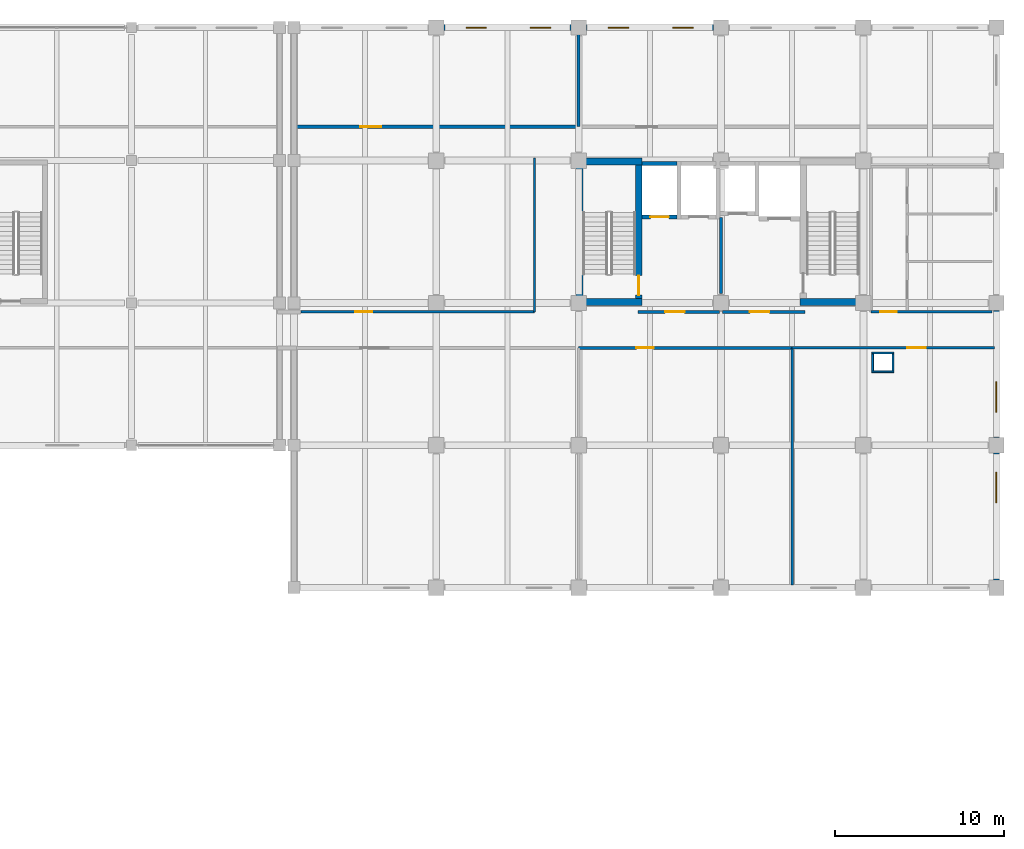
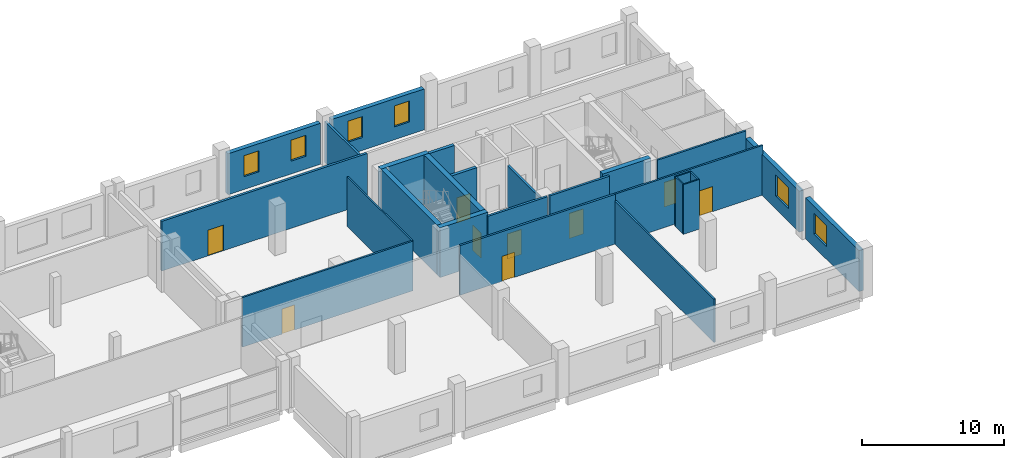
# One storey, part 32 of 38: 26 walls, 9 doors, 6 windows, 15 openings.
"""IFC4 building model written with IfcOpenShell, lengths in metres."""

from ifc_helpers import new_model, si_unit, direction, frame, frame_2d, origin, place, context, subcontext, project, spatial, rectangle, extrude, material, layer, layer_set, type_object, element, fill, save


model = new_model("IFC4")

# Units and contexts
model_context = context("Model", 3, precision=1e-05, world=origin(), true_north=direction((0.0, 1.0)))
body_context = subcontext(model_context, "Body", "Model", "MODEL_VIEW")
ifc_project = project(units=[si_unit("LENGTHUNIT", "METRE"), si_unit("AREAUNIT", "SQUARE_METRE"), si_unit("VOLUMEUNIT", "CUBIC_METRE"), si_unit("PLANEANGLEUNIT", "RADIAN"), si_unit("MASSUNIT", "GRAM", prefix="KILO")], contexts=[model_context])

# Site, building, storey
site_placement = place(None, origin())
site = spatial("IfcSite", under=ifc_project, at=site_placement, CompositionType="ELEMENT")
building_placement = place(site_placement, origin())
building = spatial("IfcBuilding", under=site, at=building_placement, Name="Brinegate Botanical Conservatory", CompositionType="ELEMENT")
storey_placement = place(building_placement, frame((0.0, 0.0, 10.199951171875)))
storey = spatial("IfcBuildingStorey", under=building, at=storey_placement, Name="L03", CompositionType="ELEMENT", Elevation=10.199951171875)

# Wall, openings, windows
ifc_material_1 = material(Name="Insulated Minnan red clay brick masonry", Category="masonry")
ifc_layer_1 = layer(ifc_material_1, 0.360107421875, Name="Insulated Minnan red clay brick masonry", Category="masonry")
ifc_layer_set_1 = layer_set([ifc_layer_1], Name="Insulated Minnan red clay brick masonry")
wall_type_1 = type_object("IfcWallType", Name="Wall_EW-360B", PredefinedType="STANDARD", material=ifc_layer_set_1)
wall_1_placement = place(storey_placement, frame((130.85009765625, 111.449951171875, 0.0), z_axis=(0.0, 0.0, 1.0), x_axis=(1.0, 0.0, 0.0)))
wall_1 = element("IfcWall", 1, at=wall_1_placement, inside=storey, type_object=wall_type_1, Name="Herbarium north insulated red-brick wall L03.2", PredefinedType="STANDARD", context=body_context, shape_type="SweptSolid", body=[
    extrude(rectangle(XDim=7.5, YDim=0.360107421875, at=frame_2d((3.75, 0.0))), origin(), (0.0, 0.0, 1.0), 3.510009765625),
])
opening_1_placement = place(wall_1_placement, frame((1.300048828125, 0.0, 1.10009765625)))
opening_1 = element("IfcOpeningElement", 2, at=opening_1_placement, cuts=wall_1, Name="Opening WN-06", PredefinedType="OPENING", context=body_context, shape_type="SweptSolid", body=[
    extrude(rectangle(XDim=1.199951171875, YDim=1.800048828125, at=frame_2d((0.60009765625, 0.89990234375))), frame((0.0, 0.18994140625, 0.0), z_axis=(0.0, -1.0, 0.0), x_axis=(1.0, 0.0, 0.0)), (0.0, 0.0, 1.0), 0.380126953125),
])
opening_2_placement = place(wall_1_placement, frame((5.10009765625, 0.0, 1.10009765625)))
opening_2 = element("IfcOpeningElement", 3, at=opening_2_placement, cuts=wall_1, Name="Opening WN-06", PredefinedType="OPENING", context=body_context, shape_type="SweptSolid", body=[
    extrude(rectangle(XDim=1.199951171875, YDim=1.800048828125, at=frame_2d((0.60009765625, 0.89990234375))), frame((0.0, 0.18994140625, 0.0), z_axis=(0.0, -1.0, 0.0), x_axis=(1.0, 0.0, 0.0)), (0.0, 0.0, 1.0), 0.380126953125),
])
ifc_material_2 = material(Name="Thermally broken aluminium-framed Low-E glass", Category="aluminium")
window_type_1 = type_object("IfcWindowType", Name="Win_WN-06", PartitioningType="SINGLE_PANEL", PredefinedType="WINDOW", material=ifc_material_2)
window_1_placement = place(opening_1_placement, origin())
window_1 = element("IfcWindow", 4, at=window_1_placement, inside=storey, type_object=window_type_1, Name="Herbarium north UV-filtered window L03.2A", OverallHeight=1.800048828125, OverallWidth=1.199951171875, PartitioningType="SINGLE_PANEL", PredefinedType="WINDOW", context=body_context, shape_type="SweptSolid", body=[
    extrude(rectangle(XDim=1.199951171875, YDim=1.800048828125, at=frame_2d((0.60009765625, 0.89990234375))), frame((0.0, 0.030029296875, 0.0), z_axis=(0.0, -1.0, 0.0), x_axis=(1.0, 0.0, 0.0)), (0.0, 0.0, 1.0), 0.06005859375),
])
fill(opening_1, window_1)
window_2_placement = place(opening_2_placement, origin())
window_2 = element("IfcWindow", 5, at=window_2_placement, inside=storey, type_object=window_type_1, Name="Herbarium north UV-filtered window L03.2B", OverallHeight=1.800048828125, OverallWidth=1.199951171875, PartitioningType="SINGLE_PANEL", PredefinedType="WINDOW", context=body_context, shape_type="SweptSolid", body=[
    extrude(rectangle(XDim=1.199951171875, YDim=1.800048828125, at=frame_2d((0.60009765625, 0.89990234375))), frame((0.0, 0.030029296875, 0.0), z_axis=(0.0, -1.0, 0.0), x_axis=(1.0, 0.0, 0.0)), (0.0, 0.0, 1.0), 0.06005859375),
])
fill(opening_2, window_2)

wall_2_placement = place(storey_placement, frame((139.25, 111.449951171875, 0.0), z_axis=(0.0, 0.0, 1.0), x_axis=(1.0, 0.0, 0.0)))
wall_2 = element("IfcWall", 6, at=wall_2_placement, inside=storey, type_object=wall_type_1, Name="Herbarium north insulated red-brick wall L03.3", PredefinedType="STANDARD", context=body_context, shape_type="SweptSolid", body=[
    extrude(rectangle(XDim=7.5, YDim=0.360107421875, at=frame_2d((3.75, 0.0))), origin(), (0.0, 0.0, 1.0), 3.510009765625),
])
opening_3_placement = place(wall_2_placement, frame((1.300048828125, 0.0, 1.10009765625)))
opening_3 = element("IfcOpeningElement", 7, at=opening_3_placement, cuts=wall_2, Name="Opening WN-06", PredefinedType="OPENING", context=body_context, shape_type="SweptSolid", body=[
    extrude(rectangle(XDim=1.199951171875, YDim=1.800048828125, at=frame_2d((0.60009765625, 0.89990234375))), frame((0.0, 0.18994140625, 0.0), z_axis=(0.0, -1.0, 0.0), x_axis=(1.0, 0.0, 0.0)), (0.0, 0.0, 1.0), 0.380126953125),
])
opening_4_placement = place(wall_2_placement, frame((5.10009765625, 0.0, 1.10009765625)))
opening_4 = element("IfcOpeningElement", 8, at=opening_4_placement, cuts=wall_2, Name="Opening WN-06", PredefinedType="OPENING", context=body_context, shape_type="SweptSolid", body=[
    extrude(rectangle(XDim=1.199951171875, YDim=1.800048828125, at=frame_2d((0.60009765625, 0.89990234375))), frame((0.0, 0.18994140625, 0.0), z_axis=(0.0, -1.0, 0.0), x_axis=(1.0, 0.0, 0.0)), (0.0, 0.0, 1.0), 0.380126953125),
])
window_3_placement = place(opening_3_placement, origin())
window_3 = element("IfcWindow", 9, at=window_3_placement, inside=storey, type_object=window_type_1, Name="Herbarium north UV-filtered window L03.3A", OverallHeight=1.800048828125, OverallWidth=1.199951171875, PartitioningType="SINGLE_PANEL", PredefinedType="WINDOW", context=body_context, shape_type="SweptSolid", body=[
    extrude(rectangle(XDim=1.199951171875, YDim=1.800048828125, at=frame_2d((0.60009765625, 0.89990234375))), frame((0.0, 0.030029296875, 0.0), z_axis=(0.0, -1.0, 0.0), x_axis=(1.0, 0.0, 0.0)), (0.0, 0.0, 1.0), 0.06005859375),
])
fill(opening_3, window_3)
window_4_placement = place(opening_4_placement, origin())
window_4 = element("IfcWindow", 10, at=window_4_placement, inside=storey, type_object=window_type_1, Name="Herbarium north UV-filtered window L03.3B", OverallHeight=1.800048828125, OverallWidth=1.199951171875, PartitioningType="SINGLE_PANEL", PredefinedType="WINDOW", context=body_context, shape_type="SweptSolid", body=[
    extrude(rectangle(XDim=1.199951171875, YDim=1.800048828125, at=frame_2d((0.60009765625, 0.89990234375))), frame((0.0, 0.030029296875, 0.0), z_axis=(0.0, -1.0, 0.0), x_axis=(1.0, 0.0, 0.0)), (0.0, 0.0, 1.0), 0.06005859375),
])
fill(opening_4, window_4)

# Wall, opening, window
wall_3_placement = place(storey_placement, frame((163.449951171875, 86.35009765625, 0.0), z_axis=(0.0, 0.0, 1.0), x_axis=(0.0, -1.0, 0.0)))
wall_3 = element("IfcWall", 11, at=wall_3_placement, inside=storey, type_object=wall_type_1, Name="Tower east brick wall L03.1", PredefinedType="STANDARD", context=body_context, shape_type="SweptSolid", body=[
    extrude(rectangle(XDim=7.5, YDim=0.360107421875, at=frame_2d((3.75, 0.0))), origin(), (0.0, 0.0, 1.0), 3.510009765625),
])
opening_5_placement = place(wall_3_placement, frame((1.14990234375, 0.0, 1.10009765625)))
opening_5 = element("IfcOpeningElement", 12, at=opening_5_placement, cuts=wall_3, Name="Opening WN-05", PredefinedType="OPENING", context=body_context, shape_type="SweptSolid", body=[
    extrude(rectangle(XDim=1.800048828125, YDim=1.800048828125, at=frame_2d((0.89990234375, 0.89990234375))), frame((0.0, 0.18994140625, 0.0), z_axis=(0.0, -1.0, 0.0), x_axis=(1.0, 0.0, 0.0)), (0.0, 0.0, 1.0), 0.380126953125),
])
window_type_2 = type_object("IfcWindowType", Name="Win_WN-05", PartitioningType="DOUBLE_PANEL_VERTICAL", PredefinedType="WINDOW", material=ifc_material_2)
window_5_placement = place(opening_5_placement, origin())
window_5 = element("IfcWindow", 13, at=window_5_placement, inside=storey, type_object=window_type_2, Name="Tower east window L03.1", OverallHeight=1.800048828125, OverallWidth=1.800048828125, PartitioningType="DOUBLE_PANEL_VERTICAL", PredefinedType="WINDOW", context=body_context, shape_type="SweptSolid", body=[
    extrude(rectangle(XDim=1.800048828125, YDim=1.800048828125, at=frame_2d((0.89990234375, 0.89990234375))), frame((0.0, 0.030029296875, 0.0), z_axis=(0.0, -1.0, 0.0), x_axis=(1.0, 0.0, 0.0)), (0.0, 0.0, 1.0), 0.06005859375),
])
fill(opening_5, window_5)

wall_4_placement = place(storey_placement, frame((163.449951171875, 94.75, 0.0), z_axis=(0.0, 0.0, 1.0), x_axis=(0.0, -1.0, 0.0)))
wall_4 = element("IfcWall", 14, at=wall_4_placement, inside=storey, type_object=wall_type_1, Name="Tower east brick wall L03.2", PredefinedType="STANDARD", context=body_context, shape_type="SweptSolid", body=[
    extrude(rectangle(XDim=7.5, YDim=0.360107421875, at=frame_2d((3.75, 0.0))), origin(), (0.0, 0.0, 1.0), 3.510009765625),
])
opening_6_placement = place(wall_4_placement, frame((4.199951171875, 0.0, 1.10009765625)))
opening_6 = element("IfcOpeningElement", 15, at=opening_6_placement, cuts=wall_4, Name="Opening WN-05", PredefinedType="OPENING", context=body_context, shape_type="SweptSolid", body=[
    extrude(rectangle(XDim=1.800048828125, YDim=1.800048828125, at=frame_2d((0.89990234375, 0.89990234375))), frame((0.0, 0.18994140625, 0.0), z_axis=(0.0, -1.0, 0.0), x_axis=(1.0, 0.0, 0.0)), (0.0, 0.0, 1.0), 0.380126953125),
])
window_6_placement = place(opening_6_placement, origin())
window_6 = element("IfcWindow", 16, at=window_6_placement, inside=storey, type_object=window_type_2, Name="Tower east window L03.2", OverallHeight=1.800048828125, OverallWidth=1.800048828125, PartitioningType="DOUBLE_PANEL_VERTICAL", PredefinedType="WINDOW", context=body_context, shape_type="SweptSolid", body=[
    extrude(rectangle(XDim=1.800048828125, YDim=1.800048828125, at=frame_2d((0.89990234375, 0.89990234375))), frame((0.0, 0.030029296875, 0.0), z_axis=(0.0, -1.0, 0.0), x_axis=(1.0, 0.0, 0.0)), (0.0, 0.0, 1.0), 0.06005859375),
])
fill(opening_6, window_6)

# Walls
ifc_material_3 = material(Name="Gypsum-clad steel-stud fire-rated shaft partition", Category="steel")
ifc_layer_2 = layer(ifc_material_3, 0.10498046875, Name="Gypsum-clad steel-stud fire-rated shaft partition", Category="steel")
ifc_layer_set_2 = layer_set([ifc_layer_2], Name="Gypsum-clad steel-stud fire-rated shaft partition")
wall_type_2 = type_object("IfcWallType", Name="Wall_PW-105", PredefinedType="PARTITIONING", material=ifc_layer_set_2)
for number, where, z_axis, x_axis, name in (
    (17, (156.094970703125, 91.1474609375, 0.0), (0.0, 0.0, 1.0), (1.0, 0.0, 0.0), "Service riser shaft wall L03 S"),
    (18, (156.094970703125, 92.25244140625, 0.0), (0.0, 0.0, 1.0), (1.0, 0.0, 0.0), "Service riser shaft wall L03 N"),
):
    element("IfcWall", number, at=place(storey_placement, frame(where, z_axis=z_axis, x_axis=x_axis)), inside=storey, type_object=wall_type_2, Name=name, PredefinedType="PARTITIONING", context=body_context, shape_type="SweptSolid", body=[
        extrude(rectangle(XDim=1.31005859375, YDim=0.10498046875, at=frame_2d((0.655029296875, 0.0))), origin(), (0.0, 0.0, 1.0), 4.260009765625),
    ])
for number, where, z_axis, x_axis, name in (
    (19, (156.1474609375, 91.199951171875, 0.0), (0.0, 0.0, 1.0), (0.0, 1.0, 0.0), "Service riser shaft wall L03 W"),
    (20, (157.3525390625, 91.199951171875, 0.0), (0.0, 0.0, 1.0), (0.0, 1.0, 0.0), "Service riser shaft wall L03 E"),
):
    element("IfcWall", number, at=place(storey_placement, frame(where, z_axis=z_axis, x_axis=x_axis)), inside=storey, type_object=wall_type_2, Name=name, PredefinedType="PARTITIONING", context=body_context, shape_type="SweptSolid", body=[
        extrude(rectangle(XDim=1.0, YDim=0.10498046875, at=frame_2d((0.5, 0.0))), origin(), (0.0, 0.0, 1.0), 4.260009765625),
    ])
ifc_material_4 = material(Name="Gypsum-clad steel-stud partition", Category="steel")
ifc_layer_3 = layer(ifc_material_4, 0.1201171875, Name="Gypsum-clad steel-stud partition", Category="steel")
ifc_layer_set_3 = layer_set([ifc_layer_3], Name="Gypsum-clad steel-stud partition")
wall_type_3 = type_object("IfcWallType", Name="Wall_PW-120", PredefinedType="PARTITIONING", material=ifc_layer_set_3)
wall_5_placement = place(storey_placement, frame((136.199951171875, 94.679931640625, 0.0), z_axis=(0.0, 0.0, 1.0), x_axis=(0.0, 1.0, 0.0)))
element("IfcWall", 21, at=wall_5_placement, inside=storey, type_object=wall_type_3, Name="Interior partition P-L03-XCORR-W", PredefinedType="PARTITIONING", context=body_context, shape_type="SweptSolid", body=[
    extrude(rectangle(XDim=9.070068359375, YDim=0.1201171875, at=frame_2d((4.53515625, 0.0))), origin(), (0.0, 0.0, 1.0), 4.260009765625),
])
ifc_layer_4 = layer(ifc_material_4, 0.135009765625, Name="Gypsum-clad steel-stud partition", Category="steel")
ifc_layer_set_4 = layer_set([ifc_layer_4], Name="Gypsum-clad steel-stud partition")
wall_type_4 = type_object("IfcWallType", Name="Wall_PW-135", PredefinedType="PARTITIONING", material=ifc_layer_set_4)
wall_6_placement = place(storey_placement, frame((151.39990234375, 78.550048828125, 0.0), z_axis=(0.0, 0.0, 1.0), x_axis=(0.0, 1.0, 0.0)))
element("IfcWall", 22, at=wall_6_placement, inside=storey, type_object=wall_type_4, Name="Interior partition P-L03-SDIV-S3", PredefinedType="PARTITIONING", context=body_context, shape_type="SweptSolid", body=[
    extrude(rectangle(XDim=14.0, YDim=0.135009765625, at=frame_2d((7.0, 0.0))), origin(), (0.0, 0.0, 1.0), 3.7099609375),
])

# Wall, opening, door
ifc_material_5 = material(Name="Gypsum-clad acoustic steel-stud partition", Category="steel")
ifc_layer_5 = layer(ifc_material_5, 0.14501953125, Name="Gypsum-clad acoustic steel-stud partition", Category="steel")
ifc_layer_set_5 = layer_set([ifc_layer_5], Name="Gypsum-clad acoustic steel-stud partition")
wall_type_5 = type_object("IfcWallType", Name="Wall_PW-150", PredefinedType="PARTITIONING", material=ifc_layer_set_5)
wall_7_placement = place(storey_placement, frame((122.39990234375, 94.679931640625, 0.0), z_axis=(0.0, 0.0, 1.0), x_axis=(1.0, 0.0, 0.0)))
wall_7 = element("IfcWall", 23, at=wall_7_placement, inside=storey, type_object=wall_type_5, Name="Interior partition P-L03-MIDW-S", PredefinedType="PARTITIONING", context=body_context, shape_type="SweptSolid", body=[
    extrude(rectangle(XDim=13.800048828125, YDim=0.14501953125, at=frame_2d((6.89990234375, 0.0))), origin(), (0.0, 0.0, 1.0), 4.260009765625),
])
opening_7_placement = place(wall_7_placement, frame((3.199951171875, 0.0, 0.0)))
opening_7 = element("IfcOpeningElement", 24, at=opening_7_placement, cuts=wall_7, Name="Opening DR-02", PredefinedType="OPENING", context=body_context, shape_type="SweptSolid", body=[
    extrude(rectangle(XDim=1.02001953125, YDim=2.14990234375, at=frame_2d((0.510009765625, 1.074951171875))), frame((0.0, 0.08251953125, 0.0), z_axis=(0.0, -1.0, 0.0), x_axis=(1.0, 0.0, 0.0)), (0.0, 0.0, 1.0), 0.1650390625),
])
ifc_material_6 = material(Name="Phenolic-faced laboratory timber leaf", Category="wood")
door_type_1 = type_object("IfcDoorType", Name="Door_DR-02", OperationType="NOTDEFINED", PredefinedType="DOOR", material=ifc_material_6)
door_1_placement = place(opening_7_placement, origin())
door_1 = element("IfcDoor", 25, at=door_1_placement, inside=storey, type_object=door_type_1, Name="DR-P-L03-MIDW-S-1", OperationType="SINGLE_SWING_RIGHT", OverallHeight=2.14990234375, OverallWidth=1.02001953125, PredefinedType="DOOR", context=body_context, shape_type="SweptSolid", body=[
    extrude(rectangle(XDim=1.02001953125, YDim=2.14990234375, at=frame_2d((0.510009765625, 1.074951171875))), frame((0.0, 0.02490234375, 0.0), z_axis=(0.0, -1.0, 0.0), x_axis=(1.0, 0.0, 0.0)), (0.0, 0.0, 1.0), 0.050048828125),
])
fill(opening_7, door_1)

wall_8_placement = place(storey_placement, frame((151.39990234375, 92.550048828125, 0.0), z_axis=(0.0, 0.0, 1.0), x_axis=(1.0, 0.0, 0.0)))
wall_8 = element("IfcWall", 26, at=wall_8_placement, inside=storey, type_object=wall_type_5, Name="Interior partition P-L03-SB-S3", PredefinedType="PARTITIONING", context=body_context, shape_type="SweptSolid", body=[
    extrude(rectangle(XDim=11.9501953125, YDim=0.14501953125, at=frame_2d((5.97509765625, 0.0))), origin(), (0.0, 0.0, 1.0), 4.260009765625),
])
opening_8_placement = place(wall_8_placement, frame((6.800048828125, 0.0, 0.0)))
opening_8 = element("IfcOpeningElement", 27, at=opening_8_placement, cuts=wall_8, Name="Opening DR-01", PredefinedType="OPENING", context=body_context, shape_type="SweptSolid", body=[
    extrude(rectangle(XDim=1.080078125, YDim=2.14990234375, at=frame_2d((0.5400390625, 1.074951171875))), frame((0.0, 0.08251953125, 0.0), z_axis=(0.0, -1.0, 0.0), x_axis=(1.0, 0.0, 0.0)), (0.0, 0.0, 1.0), 0.1650390625),
])
ifc_material_7 = material(Name="Hardwood timber acoustic leaf", Category="wood")
door_type_2 = type_object("IfcDoorType", Name="Door_DR-01", OperationType="NOTDEFINED", PredefinedType="DOOR", material=ifc_material_7)
door_2_placement = place(opening_8_placement, origin())
door_2 = element("IfcDoor", 28, at=door_2_placement, inside=storey, type_object=door_type_2, Name="DR-P-L03-SB-S3-1", OperationType="SINGLE_SWING_RIGHT", OverallHeight=2.14990234375, OverallWidth=1.080078125, PredefinedType="DOOR", context=body_context, shape_type="SweptSolid", body=[
    extrude(rectangle(XDim=1.080078125, YDim=2.14990234375, at=frame_2d((0.5400390625, 1.074951171875))), frame((0.0, 0.02490234375, 0.0), z_axis=(0.0, -1.0, 0.0), x_axis=(1.0, 0.0, 0.0)), (0.0, 0.0, 1.0), 0.050048828125),
])
fill(opening_8, door_2)

ifc_material_8 = material(Name="Moisture-resistant cement-board partition", Category="gypsum")
ifc_layer_6 = layer(ifc_material_8, 0.14990234375, Name="Moisture-resistant cement-board partition", Category="gypsum")
ifc_layer_set_6 = layer_set([ifc_layer_6], Name="Moisture-resistant cement-board partition")
wall_type_6 = type_object("IfcWallType", Name="Wall_PW-150W", PredefinedType="PARTITIONING", material=ifc_layer_set_6)
wall_9_placement = place(storey_placement, frame((156.050048828125, 94.679931640625, 0.0), z_axis=(0.0, 0.0, 1.0), x_axis=(1.0, 0.0, 0.0)))
wall_9 = element("IfcWall", 29, at=wall_9_placement, inside=storey, type_object=wall_type_6, Name="Interior partition P-L03-WCS", PredefinedType="PARTITIONING", context=body_context, shape_type="SweptSolid", body=[
    extrude(rectangle(XDim=7.14990234375, YDim=0.14990234375, at=frame_2d((3.574951171875, 0.0))), origin(), (0.0, 0.0, 1.0), 4.260009765625),
])
opening_9_placement = place(wall_9_placement, frame((0.550048828125, 0.0, 0.0)))
opening_9 = element("IfcOpeningElement", 30, at=opening_9_placement, cuts=wall_9, Name="Opening DR-03", PredefinedType="OPENING", context=body_context, shape_type="SweptSolid", body=[
    extrude(rectangle(XDim=0.97998046875, YDim=2.1201171875, at=frame_2d((0.489990234375, 1.06005859375))), frame((0.0, 0.0849609375, 0.0), z_axis=(0.0, -1.0, 0.0), x_axis=(1.0, 0.0, 0.0)), (0.0, 0.0, 1.0), 0.169921875),
])
ifc_material_9 = material(Name="Steel-core hardwood smoke-sealed fire door", Category="steel")
door_type_3 = type_object("IfcDoorType", Name="Door_DR-03", OperationType="NOTDEFINED", PredefinedType="DOOR", material=ifc_material_9)
door_3_placement = place(opening_9_placement, origin())
door_3 = element("IfcDoor", 31, at=door_3_placement, inside=storey, type_object=door_type_3, Name="DR-P-L03-WCS-1", OperationType="SINGLE_SWING_LEFT", OverallHeight=2.1201171875, OverallWidth=0.97998046875, PredefinedType="DOOR", context=body_context, shape_type="SweptSolid", body=[
    extrude(rectangle(XDim=0.97998046875, YDim=2.1201171875, at=frame_2d((0.489990234375, 1.06005859375))), frame((0.0, 0.02490234375, 0.0), z_axis=(0.0, -1.0, 0.0), x_axis=(1.0, 0.0, 0.0)), (0.0, 0.0, 1.0), 0.050048828125),
])
fill(opening_9, door_3)

ifc_layer_7 = layer(ifc_material_5, 0.1650390625, Name="Gypsum-clad acoustic steel-stud partition", Category="steel")
ifc_layer_set_7 = layer_set([ifc_layer_7], Name="Gypsum-clad acoustic steel-stud partition")
wall_type_7 = type_object("IfcWallType", Name="Wall_PW-165", PredefinedType="PARTITIONING", material=ifc_layer_set_7)
wall_10_placement = place(storey_placement, frame((138.800048828125, 92.550048828125, 0.0), z_axis=(0.0, 0.0, 1.0), x_axis=(1.0, 0.0, 0.0)))
wall_10 = element("IfcWall", 32, at=wall_10_placement, inside=storey, type_object=wall_type_7, Name="Interior partition P-L03-SB-S2", PredefinedType="PARTITIONING", context=body_context, shape_type="SweptSolid", body=[
    extrude(rectangle(XDim=12.599853515625, YDim=0.1650390625, at=frame_2d((6.2998046875, 0.0))), origin(), (0.0, 0.0, 1.0), 4.260009765625),
])
opening_10_placement = place(wall_10_placement, frame((3.39990234375, 0.0, 0.0)))
opening_10 = element("IfcOpeningElement", 33, at=opening_10_placement, cuts=wall_10, Name="Opening DR-02", PredefinedType="OPENING", context=body_context, shape_type="SweptSolid", body=[
    extrude(rectangle(XDim=1.02001953125, YDim=2.14990234375, at=frame_2d((0.510009765625, 1.074951171875))), frame((0.0, 0.092529296875, 0.0), z_axis=(0.0, -1.0, 0.0), x_axis=(1.0, 0.0, 0.0)), (0.0, 0.0, 1.0), 0.18505859375),
])
door_4_placement = place(opening_10_placement, origin())
door_4 = element("IfcDoor", 34, at=door_4_placement, inside=storey, type_object=door_type_1, Name="DR-P-L03-SB-S2-1", OperationType="SINGLE_SWING_LEFT", OverallHeight=2.14990234375, OverallWidth=1.02001953125, PredefinedType="DOOR", context=body_context, shape_type="SweptSolid", body=[
    extrude(rectangle(XDim=1.02001953125, YDim=2.14990234375, at=frame_2d((0.510009765625, 1.074951171875))), frame((0.0, 0.02490234375, 0.0), z_axis=(0.0, -1.0, 0.0), x_axis=(1.0, 0.0, 0.0)), (0.0, 0.0, 1.0), 0.050048828125),
])
fill(opening_10, door_4)

ifc_material_10 = material(Name="Autoclaved aerated concrete C40/50 blockwork", Category="masonry")
ifc_layer_8 = layer(ifc_material_10, 0.179931640625, Name="Autoclaved aerated concrete C40/50 blockwork", Category="masonry")
ifc_layer_set_8 = layer_set([ifc_layer_8], Name="Autoclaved aerated concrete C40/50 blockwork")
wall_type_8 = type_object("IfcWallType", Name="Wall_PW-180F", PredefinedType="STANDARD", material=ifc_layer_set_8)
wall_11_placement = place(storey_placement, frame((142.300048828125, 94.679931640625, 0.0), z_axis=(0.0, 0.0, 1.0), x_axis=(1.0, 0.0, 0.0)))
wall_11 = element("IfcWall", 35, at=wall_11_placement, inside=storey, type_object=wall_type_8, Name="Interior partition P-L03-CORE-FF", PredefinedType="STANDARD", context=body_context, shape_type="SweptSolid", body=[
    extrude(rectangle(XDim=4.800048828125, YDim=0.179931640625, at=frame_2d((2.39990234375, 0.0))), origin(), (0.0, 0.0, 1.0), 4.260009765625),
])
opening_11_placement = place(wall_11_placement, frame((1.60009765625, 0.0, 0.0)))
opening_11 = element("IfcOpeningElement", 36, at=opening_11_placement, cuts=wall_11, Name="Opening FD-B1", PredefinedType="OPENING", context=body_context, shape_type="SweptSolid", body=[
    extrude(rectangle(XDim=1.14990234375, YDim=2.14990234375, at=frame_2d((0.574951171875, 1.074951171875))), frame((0.0, 0.099853515625, 0.0), z_axis=(0.0, -1.0, 0.0), x_axis=(1.0, 0.0, 0.0)), (0.0, 0.0, 1.0), 0.199951171875),
])
ifc_material_11 = material(Name="Steel smoke-proof fire door assembly", Category="steel")
door_type_4 = type_object("IfcDoorType", Name="Door_FD-B1", OperationType="NOTDEFINED", PredefinedType="DOOR", material=ifc_material_11)
door_5_placement = place(opening_11_placement, origin())
door_5 = element("IfcDoor", 37, at=door_5_placement, inside=storey, type_object=door_type_4, Name="DR-P-L03-CORE-FF-1", OperationType="SINGLE_SWING_LEFT", OverallHeight=2.14990234375, OverallWidth=1.14990234375, PredefinedType="DOOR", context=body_context, shape_type="SweptSolid", body=[
    extrude(rectangle(XDim=1.14990234375, YDim=2.14990234375, at=frame_2d((0.574951171875, 1.074951171875))), frame((0.0, 0.02490234375, 0.0), z_axis=(0.0, -1.0, 0.0), x_axis=(1.0, 0.0, 0.0)), (0.0, 0.0, 1.0), 0.050048828125),
])
fill(opening_11, door_5)

wall_12_placement = place(storey_placement, frame((147.300048828125, 94.679931640625, 0.0), z_axis=(0.0, 0.0, 1.0), x_axis=(1.0, 0.0, 0.0)))
wall_12 = element("IfcWall", 38, at=wall_12_placement, inside=storey, type_object=wall_type_8, Name="Interior partition P-L03-CORE-PAX", PredefinedType="STANDARD", context=body_context, shape_type="SweptSolid", body=[
    extrude(rectangle(XDim=4.849853515625, YDim=0.179931640625, at=frame_2d((2.4248046875, 0.0))), origin(), (0.0, 0.0, 1.0), 4.260009765625),
])
opening_12_placement = place(wall_12_placement, frame((1.60009765625, 0.0, 0.0)))
opening_12 = element("IfcOpeningElement", 39, at=opening_12_placement, cuts=wall_12, Name="Opening FD-B1", PredefinedType="OPENING", context=body_context, shape_type="SweptSolid", body=[
    extrude(rectangle(XDim=1.14990234375, YDim=2.14990234375, at=frame_2d((0.574951171875, 1.074951171875))), frame((0.0, 0.099853515625, 0.0), z_axis=(0.0, -1.0, 0.0), x_axis=(1.0, 0.0, 0.0)), (0.0, 0.0, 1.0), 0.199951171875),
])
door_6_placement = place(opening_12_placement, origin())
door_6 = element("IfcDoor", 40, at=door_6_placement, inside=storey, type_object=door_type_4, Name="DR-P-L03-CORE-PAX-1", OperationType="SINGLE_SWING_RIGHT", OverallHeight=2.14990234375, OverallWidth=1.14990234375, PredefinedType="DOOR", context=body_context, shape_type="SweptSolid", body=[
    extrude(rectangle(XDim=1.14990234375, YDim=2.14990234375, at=frame_2d((0.574951171875, 1.074951171875))), frame((0.0, 0.02490234375, 0.0), z_axis=(0.0, -1.0, 0.0), x_axis=(1.0, 0.0, 0.0)), (0.0, 0.0, 1.0), 0.050048828125),
])
fill(opening_12, door_6)

# Walls
wall_13_placement = place(storey_placement, frame((147.199951171875, 95.75, 0.0), z_axis=(0.0, 0.0, 1.0), x_axis=(0.0, 1.0, 0.0)))
element("IfcWall", 41, at=wall_13_placement, inside=storey, type_object=wall_type_8, Name="Interior partition P-L03-CORE-DIV", PredefinedType="STANDARD", context=body_context, shape_type="SweptSolid", body=[
    extrude(rectangle(XDim=4.5, YDim=0.179931640625, at=frame_2d((2.25, 0.0))), origin(), (0.0, 0.0, 1.0), 3.510009765625),
])
wall_14_placement = place(storey_placement, frame((138.800048828125, 105.60009765625, 0.0), z_axis=(0.0, 0.0, 1.0), x_axis=(0.0, 1.0, 0.0)))
element("IfcWall", 42, at=wall_14_placement, inside=storey, type_object=wall_type_8, Name="Interior partition P-L03-NDIV-N2", PredefinedType="STANDARD", context=body_context, shape_type="SweptSolid", body=[
    extrude(rectangle(XDim=5.75, YDim=0.179931640625, at=frame_2d((2.875, 0.0))), origin(), (0.0, 0.0, 1.0), 3.510009765625),
])

# Wall, opening, door
ifc_layer_9 = layer(ifc_material_10, 0.18994140625, Name="Autoclaved aerated concrete C40/50 blockwork", Category="masonry")
ifc_layer_set_9 = layer_set([ifc_layer_9], Name="Autoclaved aerated concrete C40/50 blockwork")
wall_type_9 = type_object("IfcWallType", Name="Wall_PW-190F", PredefinedType="SOLIDWALL", material=ifc_layer_set_9)
wall_15_placement = place(storey_placement, frame((122.14990234375, 105.60009765625, 0.0), z_axis=(0.0, 0.0, 1.0), x_axis=(1.0, 0.0, 0.0)))
wall_15 = element("IfcWall", 43, at=wall_15_placement, inside=storey, type_object=wall_type_9, Name="Interior partition P-L03-NB-N1", PredefinedType="SOLIDWALL", context=body_context, shape_type="SweptSolid", body=[
    extrude(rectangle(XDim=16.650146484375, YDim=0.18994140625, at=frame_2d((8.3251953125, 0.0))), origin(), (0.0, 0.0, 1.0), 4.260009765625),
])
opening_13_placement = place(wall_15_placement, frame((3.75, 0.0, 0.0)))
opening_13 = element("IfcOpeningElement", 44, at=opening_13_placement, cuts=wall_15, Name="Opening FD-A1", PredefinedType="OPENING", context=body_context, shape_type="SweptSolid", body=[
    extrude(rectangle(XDim=1.25, YDim=2.199951171875, at=frame_2d((0.625, 1.10009765625))), frame((0.0, 0.10498046875, 0.0), z_axis=(0.0, -1.0, 0.0), x_axis=(1.0, 0.0, 0.0)), (0.0, 0.0, 1.0), 0.2099609375),
])
ifc_material_12 = material(Name="Steel fire-rated assembly", Category="steel")
door_type_5 = type_object("IfcDoorType", Name="Door_FD-A1", OperationType="NOTDEFINED", PredefinedType="DOOR", material=ifc_material_12)
door_7_placement = place(opening_13_placement, origin())
door_7 = element("IfcDoor", 45, at=door_7_placement, inside=storey, type_object=door_type_5, Name="DR-P-L03-NB-N1-1", OperationType="SINGLE_SWING_LEFT", OverallHeight=2.199951171875, OverallWidth=1.25, PredefinedType="DOOR", context=body_context, shape_type="SweptSolid", body=[
    extrude(rectangle(XDim=1.25, YDim=2.199951171875, at=frame_2d((0.625, 1.10009765625))), frame((0.0, 0.02490234375, 0.0), z_axis=(0.0, -1.0, 0.0), x_axis=(1.0, 0.0, 0.0)), (0.0, 0.0, 1.0), 0.050048828125),
])
fill(opening_13, door_7)

ifc_material_13 = material(Name="Concrete C40/50", Category="concrete")
ifc_layer_10 = layer(ifc_material_13, 0.25, Name="Concrete C40/50", Category="concrete")
ifc_layer_set_10 = layer_set([ifc_layer_10], Name="Concrete C40/50")
wall_type_10 = type_object("IfcWallType", Name="Wall_SW-250", PredefinedType="SHEAR", material=ifc_layer_set_10)
wall_16_placement = place(storey_placement, frame((142.550048828125, 100.27490234375, 0.0), z_axis=(0.0, 0.0, 1.0), x_axis=(1.0, 0.0, 0.0)))
wall_16 = element("IfcWall", 46, at=wall_16_placement, inside=storey, type_object=wall_type_10, Name="Lift shaft LF1 shear wall L03 S", PredefinedType="SHEAR", context=body_context, shape_type="SweptSolid", body=[
    extrude(rectangle(XDim=2.050048828125, YDim=0.25, at=frame_2d((1.02490234375, 0.0))), origin(), (0.0, 0.0, 1.0), 4.260009765625),
])
opening_14_placement = place(wall_16_placement, frame((0.47509765625, 0.0, 0.0)))
opening_14 = element("IfcOpeningElement", 47, at=opening_14_placement, cuts=wall_16, Name="Opening LD-01", PredefinedType="OPENING", context=body_context, shape_type="SweptSolid", body=[
    extrude(rectangle(XDim=1.10009765625, YDim=2.14990234375, at=frame_2d((0.550048828125, 1.074951171875))), frame((0.0, 0.135009765625, 0.0), z_axis=(0.0, -1.0, 0.0), x_axis=(1.0, 0.0, 0.0)), (0.0, 0.0, 1.0), 0.27001953125),
])
ifc_material_14 = material(Name="Brushed stainless steel S355 landing door", Category="steel")
door_type_6 = type_object("IfcDoorType", Name="Door_LD-01", OperationType="SLIDING_TO_LEFT", PredefinedType="DOOR", material=ifc_material_14)
door_8_placement = place(opening_14_placement, origin())
door_8 = element("IfcDoor", 48, at=door_8_placement, inside=storey, type_object=door_type_6, Name="LD-LF1-L03", OperationType="SLIDING_TO_LEFT", OverallHeight=2.14990234375, OverallWidth=1.10009765625, PredefinedType="DOOR", context=body_context, shape_type="SweptSolid", body=[
    extrude(rectangle(XDim=1.10009765625, YDim=2.14990234375, at=frame_2d((0.550048828125, 1.074951171875))), frame((0.0, 0.02490234375, 0.0), z_axis=(0.0, -1.0, 0.0), x_axis=(1.0, 0.0, 0.0)), (0.0, 0.0, 1.0), 0.050048828125),
])
fill(opening_14, door_8)

# Walls
wall_17_placement = place(storey_placement, frame((142.550048828125, 103.425048828125, 0.0), z_axis=(0.0, 0.0, 1.0), x_axis=(1.0, 0.0, 0.0)))
element("IfcWall", 49, at=wall_17_placement, inside=storey, type_object=wall_type_10, Name="Lift shaft LF1 shear wall L03 N", PredefinedType="SHEAR", context=body_context, shape_type="SweptSolid", body=[
    extrude(rectangle(XDim=2.050048828125, YDim=0.25, at=frame_2d((1.02490234375, 0.0))), origin(), (0.0, 0.0, 1.0), 4.260009765625),
])
ifc_material_15 = material(Name="Concrete C50/60", Category="concrete")
ifc_layer_11 = layer(ifc_material_15, 0.39990234375, Name="Concrete C50/60", Category="concrete")
ifc_layer_set_11 = layer_set([ifc_layer_11], Name="Concrete C50/60")
wall_type_11 = type_object("IfcWallType", Name="Wall_SW-400", PredefinedType="SHEAR", material=ifc_layer_set_11)
for number, where, z_axis, x_axis, name in (
    (50, (138.64990234375, 95.25, 0.0), (0.0, 0.0, 1.0), (1.0, 0.0, 0.0), "Stairwell ST1 shear wall L03 S"),
    (51, (138.64990234375, 103.550048828125, 0.0), (0.0, 0.0, 1.0), (1.0, 0.0, 0.0), "Stairwell ST1 shear wall L03 N"),
):
    element("IfcWall", number, at=place(storey_placement, frame(where, z_axis=z_axis, x_axis=x_axis)), inside=storey, type_object=wall_type_11, Name=name, PredefinedType="SHEAR", context=body_context, shape_type="SweptSolid", body=[
        extrude(rectangle(XDim=3.900146484375, YDim=0.39990234375, at=frame_2d((1.9501953125, 0.0))), origin(), (0.0, 0.0, 1.0), 4.260009765625),
    ])
wall_18_placement = place(storey_placement, frame((138.85009765625, 95.449951171875, 0.0), z_axis=(0.0, 0.0, 1.0), x_axis=(0.0, 1.0, 0.0)))
element("IfcWall", 52, at=wall_18_placement, inside=storey, type_object=wall_type_11, Name="Stairwell ST1 shear wall L03 W", PredefinedType="SHEAR", context=body_context, shape_type="SweptSolid", body=[
    extrude(rectangle(XDim=7.900146484375, YDim=0.39990234375, at=frame_2d((3.9501953125, 0.0))), origin(), (0.0, 0.0, 1.0), 4.260009765625),
])

# Wall, opening, door
wall_19_placement = place(storey_placement, frame((142.35009765625, 95.449951171875, 0.0), z_axis=(0.0, 0.0, 1.0), x_axis=(0.0, 1.0, 0.0)))
wall_19 = element("IfcWall", 53, at=wall_19_placement, inside=storey, type_object=wall_type_11, Name="Stairwell ST1 shear wall L03 E", PredefinedType="SHEAR", context=body_context, shape_type="SweptSolid", body=[
    extrude(rectangle(XDim=7.900146484375, YDim=0.39990234375, at=frame_2d((3.9501953125, 0.0))), origin(), (0.0, 0.0, 1.0), 4.260009765625),
])
opening_15_placement = place(wall_19_placement, frame((0.219970703125, 0.0, 0.0)))
opening_15 = element("IfcOpeningElement", 54, at=opening_15_placement, cuts=wall_19, Name="Opening FD-B1", PredefinedType="OPENING", context=body_context, shape_type="SweptSolid", body=[
    extrude(rectangle(XDim=1.14990234375, YDim=2.14990234375, at=frame_2d((0.574951171875, 1.074951171875))), frame((0.0, 0.2099609375, 0.0), z_axis=(0.0, -1.0, 0.0), x_axis=(1.0, 0.0, 0.0)), (0.0, 0.0, 1.0), 0.419921875),
])
door_9_placement = place(opening_15_placement, origin())
door_9 = element("IfcDoor", 55, at=door_9_placement, inside=storey, type_object=door_type_4, Name="DR-ST-ST1-L03", OperationType="SINGLE_SWING_LEFT", OverallHeight=2.14990234375, OverallWidth=1.14990234375, PredefinedType="DOOR", context=body_context, shape_type="SweptSolid", body=[
    extrude(rectangle(XDim=1.14990234375, YDim=2.14990234375, at=frame_2d((0.574951171875, 1.074951171875))), frame((0.0, 0.02490234375, 0.0), z_axis=(0.0, -1.0, 0.0), x_axis=(1.0, 0.0, 0.0)), (0.0, 0.0, 1.0), 0.050048828125),
])
fill(opening_15, door_9)

# Wall
wall_20_placement = place(storey_placement, frame((151.85009765625, 95.25, 0.0), z_axis=(0.0, 0.0, 1.0), x_axis=(1.0, 0.0, 0.0)))
element("IfcWall", 56, at=wall_20_placement, inside=storey, type_object=wall_type_11, Name="Stairwell ST2 shear wall L03 S", PredefinedType="SHEAR", context=body_context, shape_type="SweptSolid", body=[
    extrude(rectangle(XDim=3.89990234375, YDim=0.39990234375, at=frame_2d((1.949951171875, 0.0))), origin(), (0.0, 0.0, 1.0), 4.260009765625),
])

save(model, "model.ifc")
